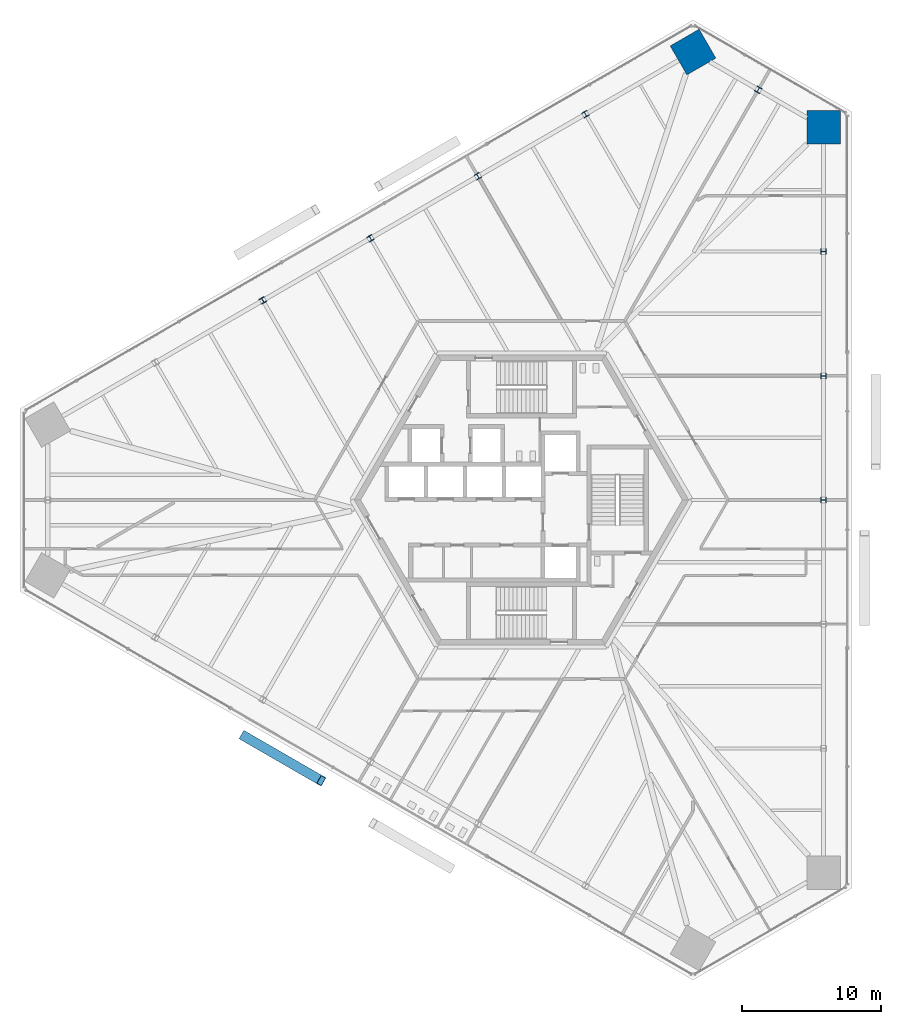
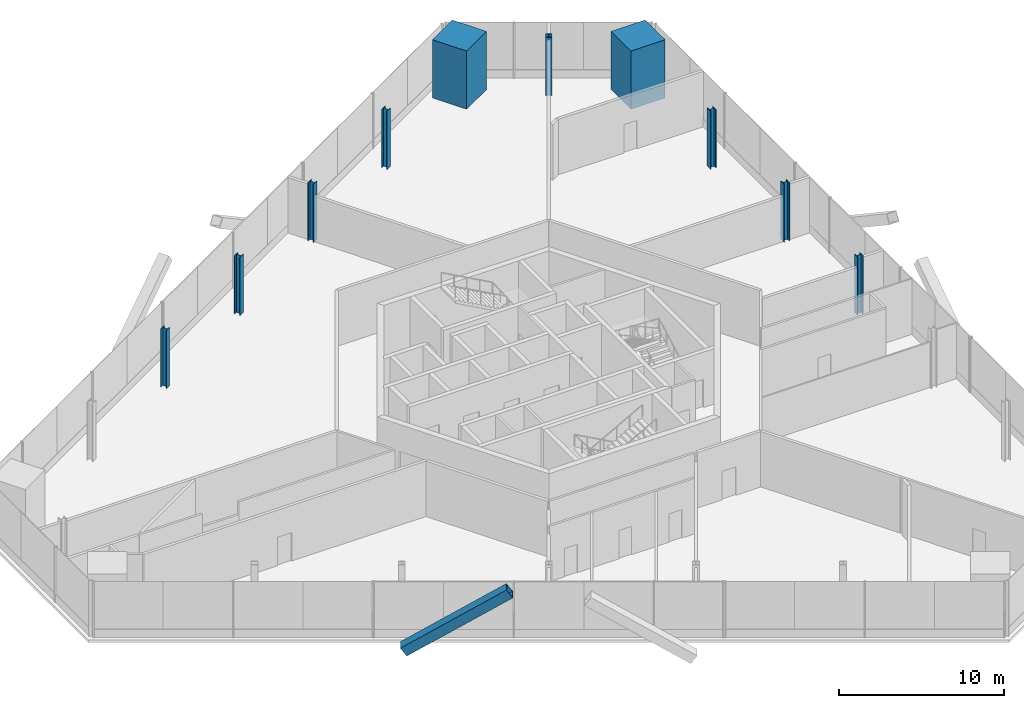
# One storey, part 2 of 15: 10 columns, 1 member.
"""IFC4 building model written with IfcOpenShell, lengths in metres."""

from ifc_helpers import new_model, si_unit, direction, frame, origin, origin_2d, place, context, subcontext, project, spatial, rectangle, hollow_rectangle, i_section, extrude, source, transform, mapped, material, material_profile, profile_set, type_object, element, save


model = new_model("IFC4")

# Units and contexts
model_context = context("Model", 3, precision=1e-05, world=origin(), true_north=direction((0.0, 1.0)))
body_context = subcontext(model_context, "Body", "Model", "MODEL_VIEW")
ifc_project = project(units=[si_unit("LENGTHUNIT", "METRE"), si_unit("AREAUNIT", "SQUARE_METRE"), si_unit("VOLUMEUNIT", "CUBIC_METRE"), si_unit("PLANEANGLEUNIT", "RADIAN"), si_unit("MASSUNIT", "GRAM", prefix="KILO")], contexts=[model_context])

# Site, building, storey
site_placement = place(None, origin())
site = spatial("IfcSite", under=ifc_project, at=site_placement, CompositionType="ELEMENT")
building_placement = place(site_placement, origin())
building = spatial("IfcBuilding", under=site, at=building_placement, Name="Triune Harvest Tower", CompositionType="ELEMENT")
storey_placement = place(building_placement, frame((0.0, 0.0, 28.89990234375)))
storey = spatial("IfcBuildingStorey", under=building, at=storey_placement, Name="L06", CompositionType="ELEMENT", Elevation=28.89990234375)

# Columns
ifc_material_1 = material(Name="Concrete 70 MPa", Category="concrete")
ifc_material_profile_1 = material_profile(ifc_material_1, rectangle(XDim=2.39990234375, YDim=2.39990234375, at=origin_2d()), Name="Composite 2400x2400")
ifc_profile_set_1 = profile_set([ifc_material_profile_1], Name="Concrete 70 MPa")
column_type_1 = type_object("IfcColumnType", Name="MC-1 Mega column Composite 2400x2400", PredefinedType="COLUMN", material=ifc_profile_set_1)
shared_shape_1 = source(origin(), body_context, "Body", "SweptSolid", [
    extrude(rectangle(XDim=2.39990234375, YDim=2.39990234375, at=origin_2d()), origin(), (0.0, 0.0, 1.0), 4.300048828125),
])
for number, where, z_axis, x_axis, name in (
    (1, (21.679443359375, 26.72998046875, 0.0), (0.0, 0.0, 1.0), (0.0, 1.0, 0.0), "col/L06/M6"),
    (2, (12.30908203125, 32.139892578125, 0.0), (0.0, 0.0, 1.0), (-0.866025403784, -0.5, 0.0), "col/L06/M8"),
):
    element("IfcColumn", number, at=place(storey_placement, frame(where, z_axis=z_axis, x_axis=x_axis)), inside=storey, type_object=column_type_1, Name=name, PredefinedType="COLUMN", context=body_context, shape_type="MappedRepresentation", body=[
        mapped(shared_shape_1, transform((0.0, 0.0, 0.0), scale=1.0)),
    ])
ifc_material_2 = material(Name="Steel ASTM A992 Gr 50", Category="steel")
ifc_material_profile_2 = material_profile(ifc_material_2, i_section(OverallWidth=0.40380859375, OverallDepth=0.406494140625, WebThickness=0.027099609375, FlangeThickness=0.043701171875, at=origin_2d()), Name="W14x233")
ifc_profile_set_2 = profile_set([ifc_material_profile_2], Name="Steel ASTM A992 Gr 50")
column_type_2 = type_object("IfcColumnType", Name="PC-1 Perimeter column W14x233", PredefinedType="COLUMN", material=ifc_profile_set_2)
shared_shape_2 = source(origin(), body_context, "Body", "SweptSolid", [
    extrude(i_section(OverallWidth=0.40380859375, OverallDepth=0.406494140625, WebThickness=0.027099609375, FlangeThickness=0.043701171875, at=origin_2d()), origin(), (0.0, 0.0, 1.0), 4.300048828125),
])
for number, where, z_axis, x_axis, name in (
    (3, (21.679443359375, 0.0, 0.0), (0.0, 0.0, 1.0), (0.0, 1.0, 0.0), "col/L06/P3"),
    (4, (21.679443359375, 8.909912109375, 0.0), (0.0, 0.0, 1.0), (0.0, 1.0, 0.0), "col/L06/P4"),
    (5, (21.679443359375, 17.820068359375, 0.0), (0.0, 0.0, 1.0), (0.0, 1.0, 0.0), "col/L06/P5"),
    (6, (16.994384765625, 29.43505859375, 0.0), (0.0, 0.0, 1.0), (-0.866026276448, 0.4999984885, 0.0), "col/L06/P7"),
    (7, (4.5927734375, 27.68505859375, 0.0), (0.0, 0.0, 1.0), (-0.866025403784, -0.5, 0.0), "col/L06/P9"),
    (8, (-3.12353515625, 23.22998046875, 0.0), (0.0, 0.0, 1.0), (-0.866025403784, -0.5, 0.0), "col/L06/P10"),
    (9, (-10.839599609375, 18.77490234375, 0.0), (0.0, 0.0, 1.0), (-0.866025403784, -0.5, 0.0), "col/L06/P11"),
    (10, (-18.555908203125, 14.320068359375, 0.0), (0.0, 0.0, 1.0), (-0.866025403784, -0.5, 0.0), "col/L06/P12"),
):
    element("IfcColumn", number, at=place(storey_placement, frame(where, z_axis=z_axis, x_axis=x_axis)), inside=storey, type_object=column_type_2, Name=name, PredefinedType="COLUMN", context=body_context, shape_type="MappedRepresentation", body=[
        mapped(shared_shape_2, transform((0.0, 0.0, 0.0), scale=1.0)),
    ])

# Member
ifc_material_3 = material(Name="Steel ASTM A572 Gr 50", Category="steel")
ifc_material_profile_3 = material_profile(ifc_material_3, hollow_rectangle(XDim=0.699951171875, YDim=0.699951171875, WallThickness=0.0400390625, at=origin_2d()), Name="Box 700x700x40")
ifc_profile_set_3 = profile_set([ifc_material_profile_3], Name="Steel ASTM A572 Gr 50")
member_type = type_object("IfcMemberType", Name="BR-1 Brace Box 700x700x40", PredefinedType="BRACE", material=ifc_profile_set_3)
shared_shape_3 = source(origin(), body_context, "Body", "SweptSolid", [
    extrude(hollow_rectangle(XDim=0.699951171875, YDim=0.699951171875, WallThickness=0.0400390625, at=origin_2d()), origin(), (0.0, 0.0, 1.0), 7.728515625),
])
member_placement = place(storey_placement, frame((-19.92626953125, -16.92578125, 0.0), z_axis=(0.719604017031, -0.415462336786, 0.556382157681), x_axis=(0.499998884236, 0.86602604797, 0.0)))
element("IfcMember", 11, at=member_placement, inside=storey, type_object=member_type, Name="brace/B1-F5/d1/4", PredefinedType="BRACE", context=body_context, shape_type="MappedRepresentation", body=[
    mapped(shared_shape_3, transform((0.0, 0.0, 0.0), scale=1.0)),
])

save(model, "model.ifc")
